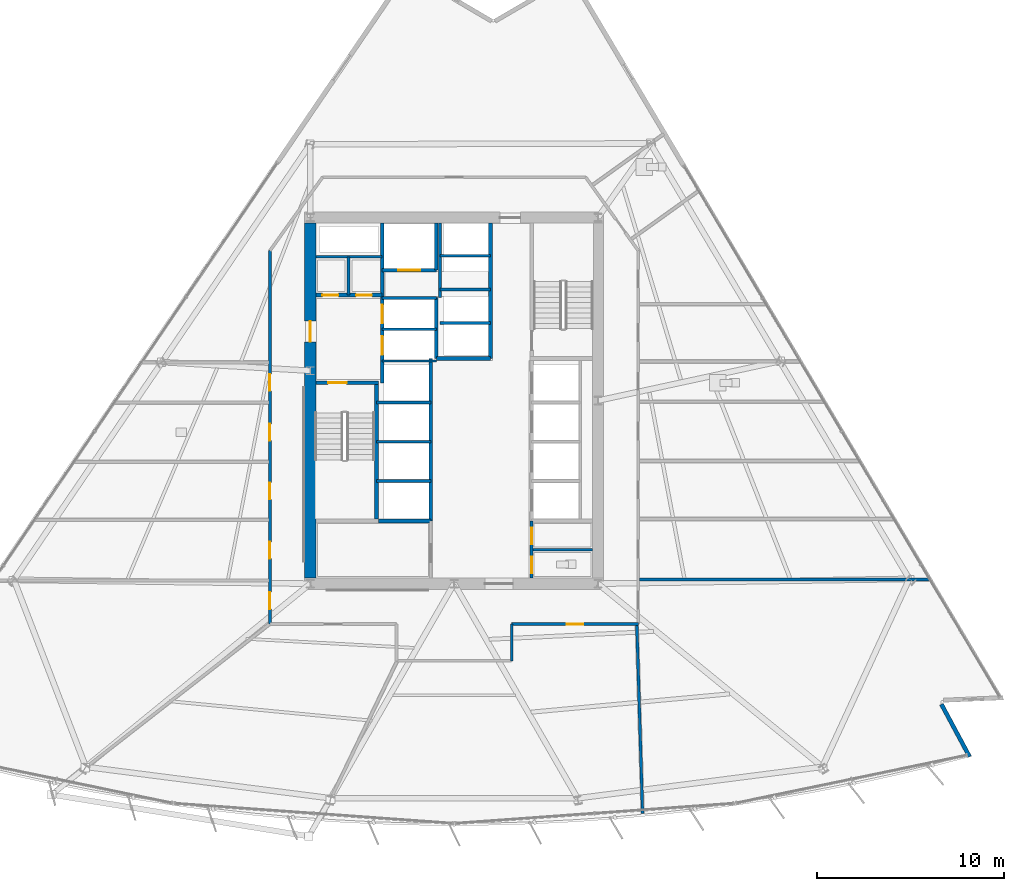
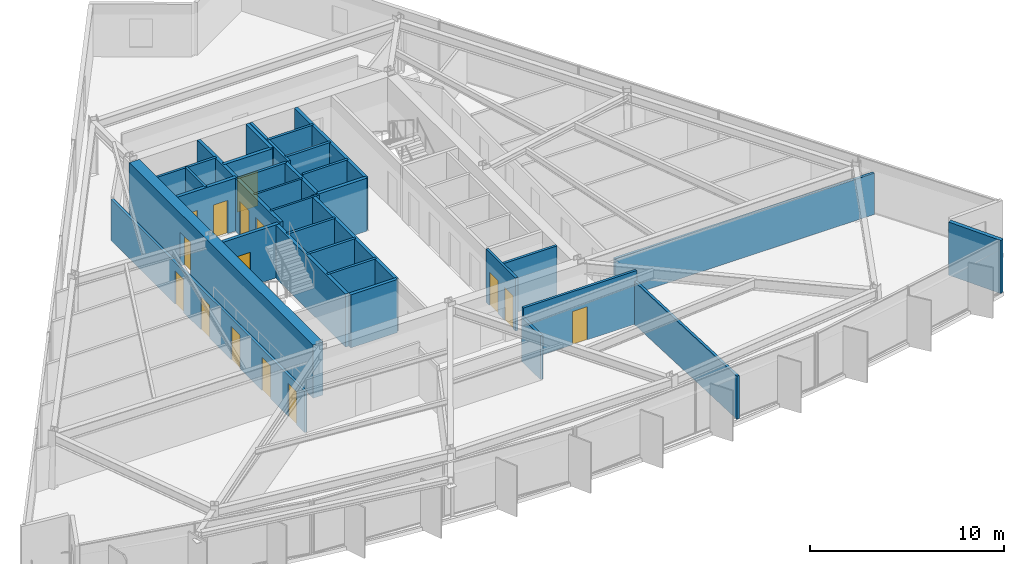
# One storey, part 9 of 17: 32 walls, 15 doors, 15 openings.
"""IFC4 building model written with IfcOpenShell, lengths in metres."""

from ifc_helpers import new_model, si_unit, direction, frame, frame_2d, origin, place, context, subcontext, project, spatial, rectangle, extrude, material, layer, layer_set, type_object, element, fill, save


model = new_model("IFC4")

# Units and contexts
model_context = context("Model", 3, precision=1e-05, world=origin(), true_north=direction((0.0, 1.0)))
body_context = subcontext(model_context, "Body", "Model", "MODEL_VIEW")
ifc_project = project(units=[si_unit("LENGTHUNIT", "METRE"), si_unit("AREAUNIT", "SQUARE_METRE"), si_unit("VOLUMEUNIT", "CUBIC_METRE"), si_unit("PLANEANGLEUNIT", "RADIAN"), si_unit("MASSUNIT", "GRAM", prefix="KILO")], contexts=[model_context])

# Site, building, storey
site_placement = place(None, origin())
site = spatial("IfcSite", under=ifc_project, at=site_placement, CompositionType="ELEMENT")
building_placement = place(site_placement, origin())
building = spatial("IfcBuilding", under=site, at=building_placement, Name="Savorim Split Tower", CompositionType="ELEMENT")
storey_placement = place(building_placement, frame((0.0, 0.0, 55.199951171875)))
storey = spatial("IfcBuildingStorey", under=building, at=storey_placement, Name="L14", CompositionType="ELEMENT", Elevation=55.199951171875)

# Wall, opening, door
ifc_material_1 = material(Name="Concrete C60/75", Category="concrete")
ifc_layer_1 = layer(ifc_material_1, 0.60009765625)
ifc_layer_set_1 = layer_set([ifc_layer_1], Name="WAL-COR-SH600")
wall_type_1 = type_object("IfcWallType", Name="WAL-COR-SH600", PredefinedType="SHEAR", material=ifc_layer_set_1)
wall_1_placement = place(storey_placement, frame((-7.699951171875, -9.10009765625, 0.0), z_axis=(0.0, 0.0, 1.0), x_axis=(0.0, 1.0, 0.0)))
wall_1 = element("IfcWall", 1, at=wall_1_placement, inside=storey, type_object=wall_type_1, Name="L14 Offset Core West Shear Wall", PredefinedType="SHEAR", context=body_context, shape_type="SweptSolid", body=[
    extrude(rectangle(XDim=19.0, YDim=0.60009765625, at=frame_2d((9.5, 0.0))), origin(), (0.0, 0.0, 1.0), 3.35009765625),
])
opening_1_placement = place(wall_1_placement, frame((12.64990234375, 0.0, 0.0)))
opening_1 = element("IfcOpeningElement", 2, at=opening_1_placement, cuts=wall_1, Name="Opening DI-03", PredefinedType="OPENING", context=body_context, shape_type="SweptSolid", body=[
    extrude(rectangle(XDim=1.10009765625, YDim=2.14990234375, at=frame_2d((0.550048828125, 1.074951171875))), frame((0.0, 0.31005859375, 0.0), z_axis=(0.0, -1.0, 0.0), x_axis=(1.0, 0.0, 0.0)), (0.0, 0.0, 1.0), 0.6201171875),
])
ifc_material_2 = material(Name="Timber Fire Door Leaf", Category="wood")
door_type_1 = type_object("IfcDoorType", Name="DOR-FIR-1100", OperationType="NOTDEFINED", PredefinedType="DOOR", material=ifc_material_2)
door_1_placement = place(opening_1_placement, origin())
door_1 = element("IfcDoor", 3, at=door_1_placement, inside=storey, type_object=door_type_1, Name="DOR-L14-COR-FFLOB - L14 Firefighting Lobby Corridor Door", OperationType="SINGLE_SWING_RIGHT", OverallHeight=2.14990234375, OverallWidth=1.10009765625, PredefinedType="DOOR", context=body_context, shape_type="SweptSolid", body=[
    extrude(rectangle(XDim=1.10009765625, YDim=2.14990234375, at=frame_2d((0.550048828125, 1.074951171875))), frame((0.0, 0.02490234375, 0.0), z_axis=(0.0, -1.0, 0.0), x_axis=(1.0, 0.0, 0.0)), (0.0, 0.0, 1.0), 0.050048828125),
])
fill(opening_1, door_1)

# Wall
ifc_material_3 = material(Name="Precast concrete C40/50", Category="concrete")
ifc_layer_2 = layer(ifc_material_3, 0.219970703125)
ifc_layer_set_2 = layer_set([ifc_layer_2], Name="WAL-EXT-CRN220")
wall_type_2 = type_object("IfcWallType", Name="WAL-EXT-CRN220", PredefinedType="SOLIDWALL", material=ifc_layer_set_2)
wall_2_placement = place(storey_placement, frame((26.085693359375, -15.852294921875, 0.0), z_axis=(0.0, 0.0, 1.0), x_axis=(0.472775670204, -0.881182821929, 0.0)))
element("IfcWall", 4, at=wall_2_placement, inside=storey, type_object=wall_type_2, Name="L14 Notched Corner Facade Wall SE1", PredefinedType="SOLIDWALL", context=body_context, shape_type="SweptSolid", body=[
    extrude(rectangle(XDim=3.189697265625, YDim=0.219970703125, at=frame_2d((1.5947265625, 0.0))), origin(), (0.0, 0.0, 1.0), 3.35009765625),
])

# Wall, opening, door
ifc_material_4 = material(Name="Concrete C50/60", Category="concrete")
ifc_layer_3 = layer(ifc_material_4, 0.199951171875)
ifc_layer_set_3 = layer_set([ifc_layer_3], Name="WAL-INT-RC200")
wall_type_3 = type_object("IfcWallType", Name="WAL-INT-RC200", PredefinedType="SOLIDWALL", material=ifc_layer_set_3)
wall_3_placement = place(storey_placement, frame((-7.39990234375, 1.35009765625, 0.0), z_axis=(0.0, 0.0, 1.0), x_axis=(1.0, 0.0, 0.0)))
wall_3 = element("IfcWall", 5, at=wall_3_placement, inside=storey, type_object=wall_type_3, Name="L14 Structural Shaft Wall W-L14-CR01", PredefinedType="SOLIDWALL", context=body_context, shape_type="SweptSolid", body=[
    extrude(rectangle(XDim=3.349853515625, YDim=0.199951171875, at=frame_2d((1.6748046875, 0.0))), origin(), (0.0, 0.0, 1.0), 3.35009765625),
])
opening_2_placement = place(wall_3_placement, frame((0.64990234375, 0.0, 0.0)))
opening_2 = element("IfcOpeningElement", 6, at=opening_2_placement, cuts=wall_3, Name="Opening DI-04", PredefinedType="OPENING", context=body_context, shape_type="SweptSolid", body=[
    extrude(rectangle(XDim=1.0, YDim=2.14990234375, at=frame_2d((0.5, 1.074951171875))), frame((0.0, 0.10986328125, 0.0), z_axis=(0.0, -1.0, 0.0), x_axis=(1.0, 0.0, 0.0)), (0.0, 0.0, 1.0), 0.219970703125),
])
door_type_2 = type_object("IfcDoorType", Name="DOR-FIR-1000", OperationType="NOTDEFINED", PredefinedType="DOOR", material=ifc_material_2)
door_2_placement = place(opening_2_placement, origin())
door_2 = element("IfcDoor", 7, at=door_2_placement, inside=storey, type_object=door_type_2, Name="DR-L14-ST1 - L14 Stair ST-1 Enclosure Door", OperationType="SINGLE_SWING_LEFT", OverallHeight=2.14990234375, OverallWidth=1.0, PredefinedType="DOOR", context=body_context, shape_type="SweptSolid", body=[
    extrude(rectangle(XDim=1.0, YDim=2.14990234375, at=frame_2d((0.5, 1.074951171875))), frame((0.0, 0.02490234375, 0.0), z_axis=(0.0, -1.0, 0.0), x_axis=(1.0, 0.0, 0.0)), (0.0, 0.0, 1.0), 0.050048828125),
])
fill(opening_2, door_2)

# Wall
wall_4_placement = place(storey_placement, frame((-4.14990234375, -5.949951171875, 0.0), z_axis=(0.0, 0.0, 1.0), x_axis=(0.0, 1.0, 0.0)))
element("IfcWall", 8, at=wall_4_placement, inside=storey, type_object=wall_type_3, Name="L14 Structural Shaft Wall W-L14-CR02", PredefinedType="SOLIDWALL", context=body_context, shape_type="SweptSolid", body=[
    extrude(rectangle(XDim=7.199951171875, YDim=0.199951171875, at=frame_2d((3.60009765625, 0.0))), origin(), (0.0, 0.0, 1.0), 3.35009765625),
])

# Wall, openings, doors
wall_5_placement = place(storey_placement, frame((-3.85009765625, 1.35009765625, 0.0), z_axis=(0.0, 0.0, 1.0), x_axis=(0.0, 1.0, 0.0)))
wall_5 = element("IfcWall", 9, at=wall_5_placement, inside=storey, type_object=wall_type_3, Name="L14 Partition W-L14-CR03", PredefinedType="SOLIDWALL", context=body_context, shape_type="SweptSolid", body=[
    extrude(rectangle(XDim=8.544921875, YDim=0.199951171875, at=frame_2d((4.2724609375, 0.0))), origin(), (0.0, 0.0, 1.0), 3.35009765625),
])
opening_3_placement = place(wall_5_placement, frame((1.5, 0.0, 0.0)))
opening_3 = element("IfcOpeningElement", 10, at=opening_3_placement, cuts=wall_5, Name="Opening LD-FFL", PredefinedType="OPENING", context=body_context, shape_type="SweptSolid", body=[
    extrude(rectangle(XDim=1.0, YDim=2.14990234375, at=frame_2d((0.5, 1.074951171875))), frame((0.0, 0.10986328125, 0.0), z_axis=(0.0, -1.0, 0.0), x_axis=(1.0, 0.0, 0.0)), (0.0, 0.0, 1.0), 0.219970703125),
])
opening_4_placement = place(wall_5_placement, frame((3.179931640625, 0.0, 0.0)))
opening_4 = element("IfcOpeningElement", 11, at=opening_4_placement, cuts=wall_5, Name="Opening LD-FFL", PredefinedType="OPENING", context=body_context, shape_type="SweptSolid", body=[
    extrude(rectangle(XDim=1.0, YDim=2.14990234375, at=frame_2d((0.5, 1.074951171875))), frame((0.0, 0.10986328125, 0.0), z_axis=(0.0, -1.0, 0.0), x_axis=(1.0, 0.0, 0.0)), (0.0, 0.0, 1.0), 0.219970703125),
])
ifc_material_5 = material(Name="Charcoal Anodised Aluminium", Category="aluminium")
door_type_3 = type_object("IfcDoorType", Name="DOR-SLD-LD1000", OperationType="NOTDEFINED", PredefinedType="DOOR", material=ifc_material_5)
door_3_placement = place(opening_3_placement, origin())
door_3 = element("IfcDoor", 12, at=door_3_placement, inside=storey, type_object=door_type_3, Name="DR-L14-LD-FFL1 - L14 Firefighting Lift FFL-1 Sliding Landing Door", OperationType="DOUBLE_DOOR_SLIDING", OverallHeight=2.14990234375, OverallWidth=1.0, PredefinedType="DOOR", context=body_context, shape_type="SweptSolid", body=[
    extrude(rectangle(XDim=1.0, YDim=2.14990234375, at=frame_2d((0.5, 1.074951171875))), frame((0.0, 0.02490234375, 0.0), z_axis=(0.0, -1.0, 0.0), x_axis=(1.0, 0.0, 0.0)), (0.0, 0.0, 1.0), 0.050048828125),
])
fill(opening_3, door_3)
door_4_placement = place(opening_4_placement, origin())
door_4 = element("IfcDoor", 13, at=door_4_placement, inside=storey, type_object=door_type_3, Name="DR-L14-LD-FFL2 - L14 Firefighting Lift FFL-2 Sliding Landing Door", OperationType="DOUBLE_DOOR_SLIDING", OverallHeight=2.14990234375, OverallWidth=1.0, PredefinedType="DOOR", context=body_context, shape_type="SweptSolid", body=[
    extrude(rectangle(XDim=1.0, YDim=2.14990234375, at=frame_2d((0.5, 1.074951171875))), frame((0.0, 0.02490234375, 0.0), z_axis=(0.0, -1.0, 0.0), x_axis=(1.0, 0.0, 0.0)), (0.0, 0.0, 1.0), 0.050048828125),
])
fill(opening_4, door_4)

wall_6_placement = place(storey_placement, frame((-7.39501953125, 6.050048828125, 0.0), z_axis=(0.0, 0.0, 1.0), x_axis=(1.0, 0.0, 0.0)))
wall_6 = element("IfcWall", 14, at=wall_6_placement, inside=storey, type_object=wall_type_3, Name="L14 Partition W-L14-CR04", PredefinedType="SOLIDWALL", context=body_context, shape_type="SweptSolid", body=[
    extrude(rectangle(XDim=3.544921875, YDim=0.199951171875, at=frame_2d((1.7724609375, 0.0))), origin(), (0.0, 0.0, 1.0), 3.35009765625),
])
opening_5_placement = place(wall_6_placement, frame((0.344970703125, 0.0, 0.0)))
opening_5 = element("IfcOpeningElement", 15, at=opening_5_placement, cuts=wall_6, Name="Opening DI-12", PredefinedType="OPENING", context=body_context, shape_type="SweptSolid", body=[
    extrude(rectangle(XDim=0.85009765625, YDim=2.10009765625, at=frame_2d((0.425048828125, 1.050048828125))), frame((0.0, 0.10986328125, 0.0), z_axis=(0.0, -1.0, 0.0), x_axis=(1.0, 0.0, 0.0)), (0.0, 0.0, 1.0), 0.219970703125),
])
opening_6_placement = place(wall_6_placement, frame((2.14501953125, 0.0, 0.0)))
opening_6 = element("IfcOpeningElement", 16, at=opening_6_placement, cuts=wall_6, Name="Opening DI-12", PredefinedType="OPENING", context=body_context, shape_type="SweptSolid", body=[
    extrude(rectangle(XDim=0.85009765625, YDim=2.10009765625, at=frame_2d((0.425048828125, 1.050048828125))), frame((0.0, 0.10986328125, 0.0), z_axis=(0.0, -1.0, 0.0), x_axis=(1.0, 0.0, 0.0)), (0.0, 0.0, 1.0), 0.219970703125),
])
ifc_material_6 = material(Name="Galvanised Painted Steel Balustrade", Category="steel")
door_type_4 = type_object("IfcDoorType", Name="DOR-RIS-850", OperationType="NOTDEFINED", PredefinedType="DOOR", material=ifc_material_6)
door_5_placement = place(opening_5_placement, origin())
door_5 = element("IfcDoor", 17, at=door_5_placement, inside=storey, type_object=door_type_4, Name="DR-L14-ELR - L14 Electrical Riser Access Door", OperationType="SINGLE_SWING_RIGHT", OverallHeight=2.10009765625, OverallWidth=0.85009765625, PredefinedType="DOOR", context=body_context, shape_type="SweptSolid", body=[
    extrude(rectangle(XDim=0.85009765625, YDim=2.10009765625, at=frame_2d((0.425048828125, 1.050048828125))), frame((0.0, 0.02490234375, 0.0), z_axis=(0.0, -1.0, 0.0), x_axis=(1.0, 0.0, 0.0)), (0.0, 0.0, 1.0), 0.050048828125),
])
fill(opening_5, door_5)
door_6_placement = place(opening_6_placement, origin())
door_6 = element("IfcDoor", 18, at=door_6_placement, inside=storey, type_object=door_type_4, Name="DR-L14-TLR - L14 Telecom Riser Access Door", OperationType="SINGLE_SWING_LEFT", OverallHeight=2.10009765625, OverallWidth=0.85009765625, PredefinedType="DOOR", context=body_context, shape_type="SweptSolid", body=[
    extrude(rectangle(XDim=0.85009765625, YDim=2.10009765625, at=frame_2d((0.425048828125, 1.050048828125))), frame((0.0, 0.02490234375, 0.0), z_axis=(0.0, -1.0, 0.0), x_axis=(1.0, 0.0, 0.0)), (0.0, 0.0, 1.0), 0.050048828125),
])
fill(opening_6, door_6)

# Wall
wall_7_placement = place(storey_placement, frame((-0.949951171875, 2.64990234375, 0.0), z_axis=(0.0, 0.0, 1.0), x_axis=(0.0, 1.0, 0.0)))
element("IfcWall", 19, at=wall_7_placement, inside=storey, type_object=wall_type_3, Name="L14 Partition W-L14-FFLW", PredefinedType="SOLIDWALL", context=body_context, shape_type="SweptSolid", body=[
    extrude(rectangle(XDim=3.27001953125, YDim=0.199951171875, at=frame_2d((1.635009765625, 0.0))), origin(), (0.0, 0.0, 1.0), 3.35009765625),
])

# Wall, opening, door
wall_8_placement = place(storey_placement, frame((-3.85009765625, 7.3798828125, 0.0), z_axis=(0.0, 0.0, 1.0), x_axis=(1.0, 0.0, 0.0)))
wall_8 = element("IfcWall", 20, at=wall_8_placement, inside=storey, type_object=wall_type_3, Name="L14 Partition W-L14-SVLS", PredefinedType="SOLIDWALL", context=body_context, shape_type="SweptSolid", body=[
    extrude(rectangle(XDim=2.900146484375, YDim=0.199951171875, at=frame_2d((1.4501953125, 0.0))), origin(), (0.0, 0.0, 1.0), 3.35009765625),
])
opening_7_placement = place(wall_8_placement, frame((0.85009765625, 0.0, 0.0)))
opening_7 = element("IfcOpeningElement", 21, at=opening_7_placement, cuts=wall_8, Name="Opening LD-SV", PredefinedType="OPENING", context=body_context, shape_type="SweptSolid", body=[
    extrude(rectangle(XDim=1.199951171875, YDim=2.199951171875, at=frame_2d((0.60009765625, 1.10009765625))), frame((0.0, 0.10986328125, 0.0), z_axis=(0.0, -1.0, 0.0), x_axis=(1.0, 0.0, 0.0)), (0.0, 0.0, 1.0), 0.219970703125),
])
door_type_5 = type_object("IfcDoorType", Name="DOR-SLD-SV1200", OperationType="NOTDEFINED", PredefinedType="DOOR", material=ifc_material_5)
door_7_placement = place(opening_7_placement, origin())
door_7 = element("IfcDoor", 22, at=door_7_placement, inside=storey, type_object=door_type_5, Name="DR-L14-LD-SVL1 - L14 Service Lift SVL-1 Sliding Landing Door", OperationType="DOUBLE_DOOR_SLIDING", OverallHeight=2.199951171875, OverallWidth=1.199951171875, PredefinedType="DOOR", context=body_context, shape_type="SweptSolid", body=[
    extrude(rectangle(XDim=1.199951171875, YDim=2.199951171875, at=frame_2d((0.60009765625, 1.10009765625))), frame((0.0, 0.02490234375, 0.0), z_axis=(0.0, -1.0, 0.0), x_axis=(1.0, 0.0, 0.0)), (0.0, 0.0, 1.0), 0.050048828125),
])
fill(opening_7, door_7)

# Walls
wall_9_placement = place(storey_placement, frame((-0.949951171875, 7.3798828125, 0.0), z_axis=(0.0, 0.0, 1.0), x_axis=(0.0, 1.0, 0.0)))
element("IfcWall", 23, at=wall_9_placement, inside=storey, type_object=wall_type_3, Name="L14 Partition W-L14-SVLE", PredefinedType="SOLIDWALL", context=body_context, shape_type="SweptSolid", body=[
    extrude(rectangle(XDim=2.51513671875, YDim=0.199951171875, at=frame_2d((1.257568359375, 0.0))), origin(), (0.0, 0.0, 1.0), 3.35009765625),
])
wall_10_placement = place(storey_placement, frame((-1.25, -6.050048828125, 0.0), z_axis=(0.0, 0.0, 1.0), x_axis=(0.0, 1.0, 0.0)))
element("IfcWall", 24, at=wall_10_placement, inside=storey, type_object=wall_type_3, Name="L14 Partition W-L14-B2FRONT", PredefinedType="SOLIDWALL", context=body_context, shape_type="SweptSolid", body=[
    extrude(rectangle(XDim=8.699951171875, YDim=0.199951171875, at=frame_2d((4.35009765625, 0.0))), origin(), (0.0, 0.0, 1.0), 3.35009765625),
])
wall_11_placement = place(storey_placement, frame((1.949951171875, 2.64990234375, 0.0), z_axis=(0.0, 0.0, 1.0), x_axis=(0.0, 1.0, 0.0)))
element("IfcWall", 25, at=wall_11_placement, inside=storey, type_object=wall_type_3, Name="L14 Partition W-L14-B3FRONT", PredefinedType="SOLIDWALL", context=body_context, shape_type="SweptSolid", body=[
    extrude(rectangle(XDim=7.2451171875, YDim=0.199951171875, at=frame_2d((3.62255859375, 0.0))), origin(), (0.0, 0.0, 1.0), 3.35009765625),
])
wall_12_placement = place(storey_placement, frame((-0.949951171875, 2.64990234375, 0.0), z_axis=(0.0, 0.0, 1.0), x_axis=(1.0, 0.0, 0.0)))
element("IfcWall", 26, at=wall_12_placement, inside=storey, type_object=wall_type_3, Name="L14 Partition W-L14-B3SOUTH", PredefinedType="SOLIDWALL", context=body_context, shape_type="SweptSolid", body=[
    extrude(rectangle(XDim=2.89990234375, YDim=0.199951171875, at=frame_2d((1.449951171875, 0.0))), origin(), (0.0, 0.0, 1.0), 3.35009765625),
])
wall_13_placement = place(storey_placement, frame((-4.0400390625, -6.050048828125, 0.0), z_axis=(0.0, 0.0, 1.0), x_axis=(1.0, 0.0, 0.0)))
element("IfcWall", 27, at=wall_13_placement, inside=storey, type_object=wall_type_3, Name="L14 Partition W-L14-KSEP-W2", PredefinedType="SOLIDWALL", context=body_context, shape_type="SweptSolid", body=[
    extrude(rectangle(XDim=2.7900390625, YDim=0.199951171875, at=frame_2d((1.39501953125, 0.0))), origin(), (0.0, 0.0, 1.0), 3.35009765625),
])
ifc_material_7 = material(Name="Acoustic Gypsum Partition Board")
ifc_layer_4 = layer(ifc_material_7, 0.1201171875)
ifc_layer_set_4 = layer_set([ifc_layer_4], Name="WAL-PAR-120")
wall_type_4 = type_object("IfcWallType", Name="WAL-PAR-120", PredefinedType="PARTITIONING", material=ifc_layer_set_4)
for number, where, z_axis, x_axis, name in (
    (28, (-3.85009765625, 2.52001953125, 0.0), (0.0, 0.0, 1.0), (1.0, 0.0, 0.0), "L14 Partition W-L14-FFLD0"),
    (29, (-3.85009765625, 4.219970703125, 0.0), (0.0, 0.0, 1.0), (1.0, 0.0, 0.0), "L14 Partition W-L14-FFLD1"),
):
    element("IfcWall", number, at=place(storey_placement, frame(where, z_axis=z_axis, x_axis=x_axis)), inside=storey, type_object=wall_type_4, Name=name, PredefinedType="PARTITIONING", context=body_context, shape_type="SweptSolid", body=[
        extrude(rectangle(XDim=2.900146484375, YDim=0.1201171875, at=frame_2d((1.4501953125, 0.0))), origin(), (0.0, 0.0, 1.0), 3.35009765625),
    ])
ifc_layer_5 = layer(ifc_material_7, 0.14990234375)
ifc_layer_set_5 = layer_set([ifc_layer_5], Name="WAL-PAR-150")
wall_type_5 = type_object("IfcWallType", Name="WAL-PAR-150", PredefinedType="PARTITIONING", material=ifc_layer_set_5)
wall_14_placement = place(storey_placement, frame((-7.39501953125, 8.10009765625, 0.0), z_axis=(0.0, 0.0, 1.0), x_axis=(1.0, 0.0, 0.0)))
element("IfcWall", 30, at=wall_14_placement, inside=storey, type_object=wall_type_5, Name="L14 Partition W-L14-CR05", PredefinedType="PARTITIONING", context=body_context, shape_type="SweptSolid", body=[
    extrude(rectangle(XDim=3.544921875, YDim=0.14990234375, at=frame_2d((1.7724609375, 0.0))), origin(), (0.0, 0.0, 1.0), 3.35009765625),
])
wall_15_placement = place(storey_placement, frame((-5.64990234375, 6.050048828125, 0.0), z_axis=(0.0, 0.0, 1.0), x_axis=(0.0, 1.0, 0.0)))
element("IfcWall", 31, at=wall_15_placement, inside=storey, type_object=wall_type_5, Name="L14 Partition W-L14-CR06", PredefinedType="PARTITIONING", context=body_context, shape_type="SweptSolid", body=[
    extrude(rectangle(XDim=2.050048828125, YDim=0.14990234375, at=frame_2d((1.02490234375, 0.0))), origin(), (0.0, 0.0, 1.0), 3.35009765625),
])
wall_16_placement = place(storey_placement, frame((-3.85009765625, 5.89990234375, 0.0), z_axis=(0.0, 0.0, 1.0), x_axis=(1.0, 0.0, 0.0)))
element("IfcWall", 32, at=wall_16_placement, inside=storey, type_object=wall_type_5, Name="L14 Partition W-L14-FFLD2", PredefinedType="PARTITIONING", context=body_context, shape_type="SweptSolid", body=[
    extrude(rectangle(XDim=2.900146484375, YDim=0.14990234375, at=frame_2d((1.4501953125, 0.0))), origin(), (0.0, 0.0, 1.0), 3.35009765625),
])
for number, where, z_axis, x_axis, name in (
    (33, (-4.14990234375, -3.89990234375, 0.0), (0.0, 0.0, 1.0), (1.0, 0.0, 0.0), "L14 Partition W-L14-B2DIV1"),
    (34, (-4.14990234375, -1.800048828125, 0.0), (0.0, 0.0, 1.0), (1.0, 0.0, 0.0), "L14 Partition W-L14-B2DIV2"),
    (35, (-4.14990234375, 0.300048828125, 0.0), (0.0, 0.0, 1.0), (1.0, 0.0, 0.0), "L14 Partition W-L14-B2DIV3"),
):
    element("IfcWall", number, at=place(storey_placement, frame(where, z_axis=z_axis, x_axis=x_axis)), inside=storey, type_object=wall_type_5, Name=name, PredefinedType="PARTITIONING", context=body_context, shape_type="SweptSolid", body=[
        extrude(rectangle(XDim=2.89990234375, YDim=0.14990234375, at=frame_2d((1.449951171875, 0.0))), origin(), (0.0, 0.0, 1.0), 3.35009765625),
    ])
wall_17_placement = place(storey_placement, frame((-0.75, 5.919921875, 0.0), z_axis=(0.0, 0.0, 1.0), x_axis=(0.0, 1.0, 0.0)))
element("IfcWall", 36, at=wall_17_placement, inside=storey, type_object=wall_type_5, Name="L14 Partition W-L14-B3WEST", PredefinedType="PARTITIONING", context=body_context, shape_type="SweptSolid", body=[
    extrude(rectangle(XDim=3.97509765625, YDim=0.14990234375, at=frame_2d((1.987548828125, 0.0))), origin(), (0.0, 0.0, 1.0), 3.35009765625),
])
for number, where, z_axis, x_axis, name in (
    (37, (-0.75, 4.550048828125, 0.0), (0.0, 0.0, 1.0), (1.0, 0.0, 0.0), "L14 Partition W-L14-B3DIV1"),
    (38, (-0.75, 6.35009765625, 0.0), (0.0, 0.0, 1.0), (1.0, 0.0, 0.0), "L14 Partition W-L14-B3DIV2"),
    (39, (-0.75, 8.14990234375, 0.0), (0.0, 0.0, 1.0), (1.0, 0.0, 0.0), "L14 Partition W-L14-B3DIV3"),
):
    element("IfcWall", number, at=place(storey_placement, frame(where, z_axis=z_axis, x_axis=x_axis)), inside=storey, type_object=wall_type_5, Name=name, PredefinedType="PARTITIONING", context=body_context, shape_type="SweptSolid", body=[
        extrude(rectangle(XDim=2.699951171875, YDim=0.14990234375, at=frame_2d((1.35009765625, 0.0))), origin(), (0.0, 0.0, 1.0), 3.35009765625),
    ])

# Wall, openings, doors
wall_18_placement = place(storey_placement, frame((4.14990234375, -9.094970703125, 0.0), z_axis=(0.0, 0.0, 1.0), x_axis=(0.0, 1.0, 0.0)))
wall_18 = element("IfcWall", 40, at=wall_18_placement, inside=storey, type_object=wall_type_5, Name="L14 Partition W-L14-KLOB-E", PredefinedType="PARTITIONING", context=body_context, shape_type="SweptSolid", body=[
    extrude(rectangle(XDim=3.044921875, YDim=0.14990234375, at=frame_2d((1.5224609375, 0.0))), origin(), (0.0, 0.0, 1.0), 3.35009765625),
])
opening_8_placement = place(wall_18_placement, frame((0.2451171875, 0.0, 0.0)))
opening_8 = element("IfcOpeningElement", 41, at=opening_8_placement, cuts=wall_18, Name="Opening DI-11", PredefinedType="OPENING", context=body_context, shape_type="SweptSolid", body=[
    extrude(rectangle(XDim=0.89990234375, YDim=2.10009765625, at=frame_2d((0.449951171875, 1.050048828125))), frame((0.0, 0.0849609375, 0.0), z_axis=(0.0, -1.0, 0.0), x_axis=(1.0, 0.0, 0.0)), (0.0, 0.0, 1.0), 0.169921875),
])
opening_9_placement = place(wall_18_placement, frame((1.794921875, 0.0, 0.0)))
opening_9 = element("IfcOpeningElement", 42, at=opening_9_placement, cuts=wall_18, Name="Opening DI-06", PredefinedType="OPENING", context=body_context, shape_type="SweptSolid", body=[
    extrude(rectangle(XDim=0.89990234375, YDim=2.10009765625, at=frame_2d((0.449951171875, 1.050048828125))), frame((0.0, 0.0849609375, 0.0), z_axis=(0.0, -1.0, 0.0), x_axis=(1.0, 0.0, 0.0)), (0.0, 0.0, 1.0), 0.169921875),
])
door_type_6 = type_object("IfcDoorType", Name="DOR-FIR-900", OperationType="NOTDEFINED", PredefinedType="DOOR", material=ifc_material_2)
door_8_placement = place(opening_9_placement, origin())
door_8 = element("IfcDoor", 43, at=door_8_placement, inside=storey, type_object=door_type_6, Name="DR-L14-K3LCK - L14 Cleaning Store Door", OperationType="SINGLE_SWING_LEFT", OverallHeight=2.10009765625, OverallWidth=0.89990234375, PredefinedType="DOOR", context=body_context, shape_type="SweptSolid", body=[
    extrude(rectangle(XDim=0.89990234375, YDim=2.10009765625, at=frame_2d((0.449951171875, 1.050048828125))), frame((0.0, 0.02490234375, 0.0), z_axis=(0.0, -1.0, 0.0), x_axis=(1.0, 0.0, 0.0)), (0.0, 0.0, 1.0), 0.050048828125),
])
fill(opening_9, door_8)
ifc_material_8 = material(Name="Oak Veneer Acoustic Door")
door_type_7 = type_object("IfcDoorType", Name="DOR-WC-900", OperationType="NOTDEFINED", PredefinedType="DOOR", material=ifc_material_8)
door_9_placement = place(opening_8_placement, origin())
door_9 = element("IfcDoor", 44, at=door_9_placement, inside=storey, type_object=door_type_7, Name="DR-L14-K3AWC - L14 Core Accessible WC Door", OperationType="SINGLE_SWING_RIGHT", OverallHeight=2.10009765625, OverallWidth=0.89990234375, PredefinedType="DOOR", context=body_context, shape_type="SweptSolid", body=[
    extrude(rectangle(XDim=0.89990234375, YDim=2.10009765625, at=frame_2d((0.449951171875, 1.050048828125))), frame((0.0, 0.02490234375, 0.0), z_axis=(0.0, -1.0, 0.0), x_axis=(1.0, 0.0, 0.0)), (0.0, 0.0, 1.0), 0.050048828125),
])
fill(opening_8, door_9)

# Wall
wall_19_placement = place(storey_placement, frame((4.14990234375, -7.580078125, 0.0), z_axis=(0.0, 0.0, 1.0), x_axis=(1.0, 0.0, 0.0)))
element("IfcWall", 45, at=wall_19_placement, inside=storey, type_object=wall_type_5, Name="L14 Partition W-L14-K3H", PredefinedType="PARTITIONING", context=body_context, shape_type="SweptSolid", body=[
    extrude(rectangle(XDim=3.2451171875, YDim=0.14990234375, at=frame_2d((1.62255859375, 0.0))), origin(), (0.0, 0.0, 1.0), 3.35009765625),
])

# Wall, openings, doors
wall_20_placement = place(storey_placement, frame((-9.860107421875, -11.56005859375, 0.0), z_axis=(0.0, 0.0, 1.0), x_axis=(0.0, 1.0, 0.0)))
wall_20 = element("IfcWall", 46, at=wall_20_placement, inside=storey, type_object=wall_type_5, Name="L14 Partition W-L14-COR-01", PredefinedType="PARTITIONING", context=body_context, shape_type="SweptSolid", body=[
    extrude(rectangle(XDim=19.98583984375, YDim=0.14990234375, at=frame_2d((9.992919921875, 0.0))), origin(), (0.0, 0.0, 1.0), 2.609130859375),
])
opening_10_placement = place(wall_20_placement, frame((9.81640625, 0.0, 0.0)))
opening_10 = element("IfcOpeningElement", 47, at=opening_10_placement, cuts=wall_20, Name="Opening DI-06", PredefinedType="OPENING", context=body_context, shape_type="SweptSolid", body=[
    extrude(rectangle(XDim=0.89990234375, YDim=2.10009765625, at=frame_2d((0.449951171875, 1.050048828125))), frame((0.0, 0.0849609375, 0.0), z_axis=(0.0, -1.0, 0.0), x_axis=(1.0, 0.0, 0.0)), (0.0, 0.0, 1.0), 0.169921875),
])
opening_11_placement = place(wall_20_placement, frame((6.67626953125, 0.0, 0.0)))
opening_11 = element("IfcOpeningElement", 48, at=opening_11_placement, cuts=wall_20, Name="Opening DI-06", PredefinedType="OPENING", context=body_context, shape_type="SweptSolid", body=[
    extrude(rectangle(XDim=0.89990234375, YDim=2.10009765625, at=frame_2d((0.449951171875, 1.050048828125))), frame((0.0, 0.0849609375, 0.0), z_axis=(0.0, -1.0, 0.0), x_axis=(1.0, 0.0, 0.0)), (0.0, 0.0, 1.0), 0.169921875),
])
opening_12_placement = place(wall_20_placement, frame((3.500732421875, 0.0, 0.0)))
opening_12 = element("IfcOpeningElement", 49, at=opening_12_placement, cuts=wall_20, Name="Opening DI-06", PredefinedType="OPENING", context=body_context, shape_type="SweptSolid", body=[
    extrude(rectangle(XDim=0.89990234375, YDim=2.10009765625, at=frame_2d((0.449951171875, 1.050048828125))), frame((0.0, 0.0849609375, 0.0), z_axis=(0.0, -1.0, 0.0), x_axis=(1.0, 0.0, 0.0)), (0.0, 0.0, 1.0), 0.169921875),
])
opening_13_placement = place(wall_20_placement, frame((0.802978515625, 0.0, 0.0)))
opening_13 = element("IfcOpeningElement", 50, at=opening_13_placement, cuts=wall_20, Name="Opening DI-06", PredefinedType="OPENING", context=body_context, shape_type="SweptSolid", body=[
    extrude(rectangle(XDim=0.89990234375, YDim=2.10009765625, at=frame_2d((0.449951171875, 1.050048828125))), frame((0.0, 0.0849609375, 0.0), z_axis=(0.0, -1.0, 0.0), x_axis=(1.0, 0.0, 0.0)), (0.0, 0.0, 1.0), 0.169921875),
])
opening_14_placement = place(wall_20_placement, frame((12.47998046875, 0.0, 0.0)))
opening_14 = element("IfcOpeningElement", 51, at=opening_14_placement, cuts=wall_20, Name="Opening DI-06", PredefinedType="OPENING", context=body_context, shape_type="SweptSolid", body=[
    extrude(rectangle(XDim=0.89990234375, YDim=2.10009765625, at=frame_2d((0.449951171875, 1.050048828125))), frame((0.0, 0.0849609375, 0.0), z_axis=(0.0, -1.0, 0.0), x_axis=(1.0, 0.0, 0.0)), (0.0, 0.0, 1.0), 0.169921875),
])
door_10_placement = place(opening_10_placement, origin())
door_10 = element("IfcDoor", 52, at=door_10_placement, inside=storey, type_object=door_type_6, Name="DR-L14-RM01 - L14 Shared Kitchen Entry Door", OperationType="SINGLE_SWING_RIGHT", OverallHeight=2.10009765625, OverallWidth=0.89990234375, PredefinedType="DOOR", context=body_context, shape_type="SweptSolid", body=[
    extrude(rectangle(XDim=0.89990234375, YDim=2.10009765625, at=frame_2d((0.449951171875, 1.050048828125))), frame((0.0, 0.02490234375, 0.0), z_axis=(0.0, -1.0, 0.0), x_axis=(1.0, 0.0, 0.0)), (0.0, 0.0, 1.0), 0.050048828125),
])
fill(opening_10, door_10)
door_11_placement = place(opening_11_placement, origin())
door_11 = element("IfcDoor", 53, at=door_11_placement, inside=storey, type_object=door_type_6, Name="DR-L14-RM02 - L14 Quiet Study Room Entry Door", OperationType="SINGLE_SWING_LEFT", OverallHeight=2.10009765625, OverallWidth=0.89990234375, PredefinedType="DOOR", context=body_context, shape_type="SweptSolid", body=[
    extrude(rectangle(XDim=0.89990234375, YDim=2.10009765625, at=frame_2d((0.449951171875, 1.050048828125))), frame((0.0, 0.02490234375, 0.0), z_axis=(0.0, -1.0, 0.0), x_axis=(1.0, 0.0, 0.0)), (0.0, 0.0, 1.0), 0.050048828125),
])
fill(opening_11, door_11)
door_12_placement = place(opening_12_placement, origin())
door_12 = element("IfcDoor", 54, at=door_12_placement, inside=storey, type_object=door_type_6, Name="DR-L14-RM03 - L14 Quiet Study Room Entry Door", OperationType="SINGLE_SWING_RIGHT", OverallHeight=2.10009765625, OverallWidth=0.89990234375, PredefinedType="DOOR", context=body_context, shape_type="SweptSolid", body=[
    extrude(rectangle(XDim=0.89990234375, YDim=2.10009765625, at=frame_2d((0.449951171875, 1.050048828125))), frame((0.0, 0.02490234375, 0.0), z_axis=(0.0, -1.0, 0.0), x_axis=(1.0, 0.0, 0.0)), (0.0, 0.0, 1.0), 0.050048828125),
])
fill(opening_12, door_12)
door_13_placement = place(opening_13_placement, origin())
door_13 = element("IfcDoor", 55, at=door_13_placement, inside=storey, type_object=door_type_6, Name="DR-L14-RM04 - L14 Co-Working Commons Entry Door", OperationType="SINGLE_SWING_LEFT", OverallHeight=2.10009765625, OverallWidth=0.89990234375, PredefinedType="DOOR", context=body_context, shape_type="SweptSolid", body=[
    extrude(rectangle(XDim=0.89990234375, YDim=2.10009765625, at=frame_2d((0.449951171875, 1.050048828125))), frame((0.0, 0.02490234375, 0.0), z_axis=(0.0, -1.0, 0.0), x_axis=(1.0, 0.0, 0.0)), (0.0, 0.0, 1.0), 0.050048828125),
])
fill(opening_13, door_13)
door_14_placement = place(opening_14_placement, origin())
door_14 = element("IfcDoor", 56, at=door_14_placement, inside=storey, type_object=door_type_6, Name="DR-L14-RM16 - L14 Co-Living Bedroom Entry Door", OperationType="SINGLE_SWING_LEFT", OverallHeight=2.10009765625, OverallWidth=0.89990234375, PredefinedType="DOOR", context=body_context, shape_type="SweptSolid", body=[
    extrude(rectangle(XDim=0.89990234375, YDim=2.10009765625, at=frame_2d((0.449951171875, 1.050048828125))), frame((0.0, 0.02490234375, 0.0), z_axis=(0.0, -1.0, 0.0), x_axis=(1.0, 0.0, 0.0)), (0.0, 0.0, 1.0), 0.050048828125),
])
fill(opening_14, door_14)

# Wall, opening, door
wall_21_placement = place(storey_placement, frame((9.860107421875, -11.56005859375, 0.0), z_axis=(0.0, 0.0, 1.0), x_axis=(-1.0, 0.0, 0.0)))
wall_21 = element("IfcWall", 57, at=wall_21_placement, inside=storey, type_object=wall_type_5, Name="L14 Partition W-L14-COR-06", PredefinedType="PARTITIONING", context=body_context, shape_type="SweptSolid", body=[
    extrude(rectangle(XDim=6.780029296875, YDim=0.14990234375, at=frame_2d((3.39013671875, 0.0))), origin(), (0.0, 0.0, 1.0), 3.35009765625),
])
opening_15_placement = place(wall_21_placement, frame((2.93994140625, 0.0, 0.0)))
opening_15 = element("IfcOpeningElement", 58, at=opening_15_placement, cuts=wall_21, Name="Opening DI-06", PredefinedType="OPENING", context=body_context, shape_type="SweptSolid", body=[
    extrude(rectangle(XDim=0.89990234375, YDim=2.10009765625, at=frame_2d((0.449951171875, 1.050048828125))), frame((0.0, 0.0849609375, 0.0), z_axis=(0.0, -1.0, 0.0), x_axis=(1.0, 0.0, 0.0)), (0.0, 0.0, 1.0), 0.169921875),
])
door_15_placement = place(opening_15_placement, origin())
door_15 = element("IfcDoor", 59, at=door_15_placement, inside=storey, type_object=door_type_6, Name="DR-L14-RM06 - L14 Co-Working Commons Entry Door", OperationType="SINGLE_SWING_LEFT", OverallHeight=2.10009765625, OverallWidth=0.89990234375, PredefinedType="DOOR", context=body_context, shape_type="SweptSolid", body=[
    extrude(rectangle(XDim=0.89990234375, YDim=2.10009765625, at=frame_2d((0.449951171875, 1.050048828125))), frame((0.0, 0.02490234375, 0.0), z_axis=(0.0, -1.0, 0.0), x_axis=(1.0, 0.0, 0.0)), (0.0, 0.0, 1.0), 0.050048828125),
])
fill(opening_15, door_15)

# Walls
wall_22_placement = place(storey_placement, frame((3.080078125, -11.56005859375, 0.0), z_axis=(0.0, 0.0, 1.0), x_axis=(0.0, -1.0, 0.0)))
element("IfcWall", 60, at=wall_22_placement, inside=storey, type_object=wall_type_5, Name="L14 Partition W-L14-COR-07", PredefinedType="PARTITIONING", context=body_context, shape_type="SweptSolid", body=[
    extrude(rectangle(XDim=1.969970703125, YDim=0.14990234375, at=frame_2d((0.98486328125, 0.0))), origin(), (0.0, 0.0, 1.0), 2.775146484375),
])
wall_23_placement = place(storey_placement, frame((9.919921875, -9.18359375, 0.0), z_axis=(0.0, 0.0, 1.0), x_axis=(1.0, 0.0, 0.0)))
element("IfcWall", 61, at=wall_23_placement, inside=storey, type_object=wall_type_5, Name="L14 Partition W-L14-PRAD05", PredefinedType="PARTITIONING", context=body_context, shape_type="SweptSolid", body=[
    extrude(rectangle(XDim=15.490478515625, YDim=0.14990234375, at=frame_2d((7.7451171875, 0.0))), origin(), (0.0, 0.0, 1.0), 2.609130859375),
])
wall_24_placement = place(storey_placement, frame((9.780029296875, -11.6201171875, 0.0), z_axis=(0.0, 0.0, 1.0), x_axis=(0.030506267256, -0.999534575519, 0.0)))
element("IfcWall", 62, at=wall_24_placement, inside=storey, type_object=wall_type_5, Name="L14 Partition W-L14-SUB06", PredefinedType="PARTITIONING", context=body_context, shape_type="SweptSolid", body=[
    extrude(rectangle(XDim=10.07568359375, YDim=0.14990234375, at=frame_2d((5.037841796875, 0.0))), origin(), (0.0, 0.0, 1.0), 2.72509765625),
])

save(model, "model.ifc")
